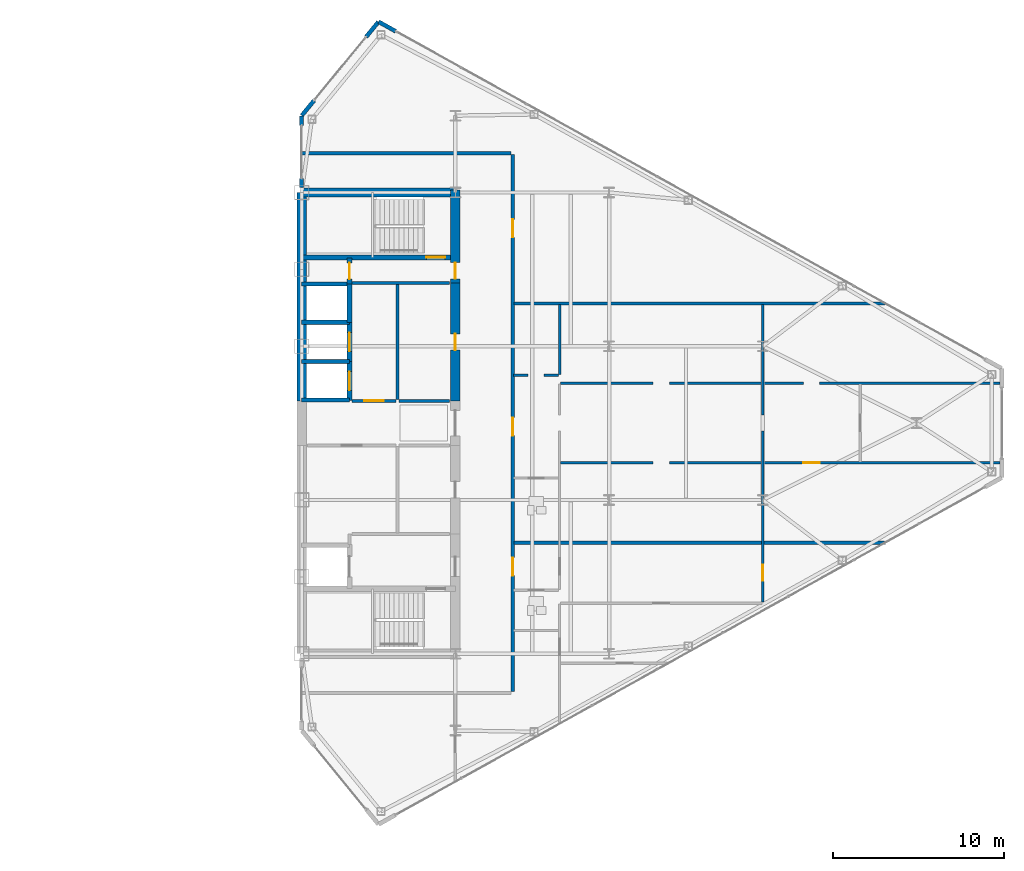
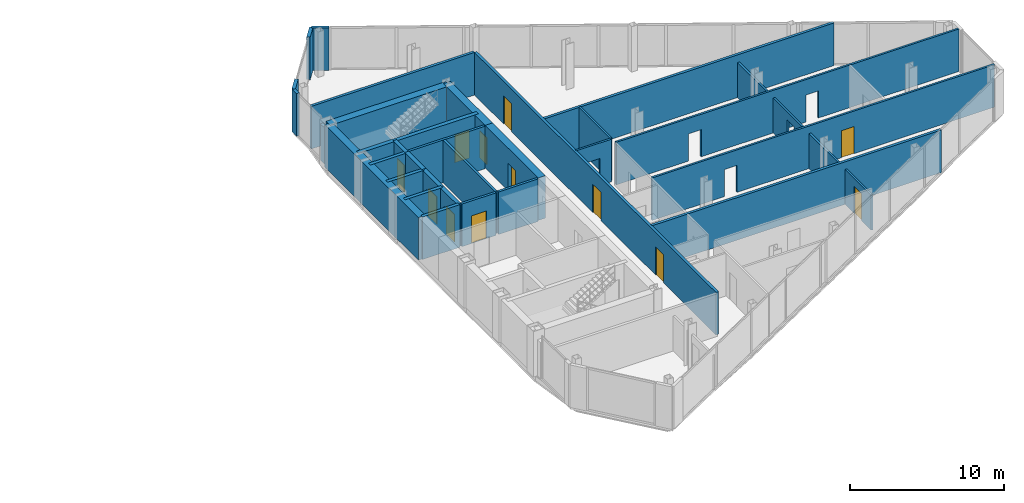
# One storey, part 22 of 26: 31 walls, 12 doors, 17 openings.
"""IFC4 building model written with IfcOpenShell, lengths in metres."""

from ifc_helpers import new_model, si_unit, direction, frame, frame_2d, origin, place, context, subcontext, project, spatial, rectangle, extrude, source, transform, mapped, material, layer, layer_set, type_object, type_shapes, element, fill, save


model = new_model("IFC4")

# Units and contexts
model_context = context("Model", 3, precision=1e-05, world=origin(), true_north=direction((0.0, 1.0)))
body_context = subcontext(model_context, "Body", "Model", "MODEL_VIEW")
ifc_project = project(units=[si_unit("LENGTHUNIT", "METRE"), si_unit("AREAUNIT", "SQUARE_METRE"), si_unit("VOLUMEUNIT", "CUBIC_METRE"), si_unit("PLANEANGLEUNIT", "RADIAN"), si_unit("MASSUNIT", "GRAM", prefix="KILO")], contexts=[model_context])

# Site, building, storey
site_placement = place(None, origin())
site = spatial("IfcSite", under=ifc_project, at=site_placement, CompositionType="ELEMENT")
building_placement = place(site_placement, origin())
building = spatial("IfcBuilding", under=site, at=building_placement, Name="Seokmaru Belvedere", CompositionType="ELEMENT")
storey_placement = place(building_placement, frame((0.0, 0.0, 170.699951171875)))
storey = spatial("IfcBuildingStorey", under=building, at=storey_placement, Name="L45", CompositionType="ELEMENT", Elevation=170.699951171875)

# Wall, openings, door
ifc_material_1 = material(Name="Fire-Rated Gypsum Shaftwall")
ifc_layer_1 = layer(ifc_material_1, 0.14990234375)
ifc_layer_set_1 = layer_set([ifc_layer_1], Name="Fire-Rated Gypsum Shaftwall")
wall_type_1 = type_object("IfcWallType", Name="Apartment Fire-Acoustic Room Partition 150", PredefinedType="PARTITIONING", material=ifc_layer_set_1)
wall_1_placement = place(storey_placement, frame((42.64990234375, -2.330078125, 0.0), z_axis=(0.0, 0.0, 1.0), x_axis=(1.0, 0.0, 0.0)))
wall_1 = element("IfcWall", 1, at=wall_1_placement, inside=storey, type_object=wall_type_1, Name="L45 Interior Partition 012", PredefinedType="PARTITIONING", context=body_context, shape_type="SweptSolid", body=[
    extrude(rectangle(XDim=25.72509765625, YDim=0.14990234375, at=frame_2d((12.862548828125, 0.0))), origin(), (0.0, 0.0, 1.0), 3.380126953125),
])
opening_1_placement = place(wall_1_placement, frame((5.425048828125, 0.0, 0.0)))
element("IfcOpeningElement", 2, at=opening_1_placement, cuts=wall_1, Name="L45 Cased Opening 027", PredefinedType="OPENING", context=body_context, shape_type="SweptSolid", body=[
    extrude(rectangle(XDim=0.949951171875, YDim=2.14990234375, at=frame_2d((0.47509765625, 1.074951171875))), frame((0.0, 0.0849609375, 0.0), z_axis=(0.0, -1.0, 0.0), x_axis=(1.0, 0.0, 0.0)), (0.0, 0.0, 1.0), 0.169921875),
])
opening_2_placement = place(wall_1_placement, frame((14.22509765625, 0.0, 0.0)))
opening_2 = element("IfcOpeningElement", 3, at=opening_2_placement, cuts=wall_1, Name="Opening D05", PredefinedType="OPENING", context=body_context, shape_type="SweptSolid", body=[
    extrude(rectangle(XDim=0.949951171875, YDim=2.14990234375, at=frame_2d((0.47509765625, 1.074951171875))), frame((0.0, 0.0849609375, 0.0), z_axis=(0.0, -1.0, 0.0), x_axis=(1.0, 0.0, 0.0)), (0.0, 0.0, 1.0), 0.169921875),
])
ifc_material_2 = material(Name="Engineered White Oak Timber", Category="wood")
door_type_1 = type_object("IfcDoorType", Name="Apartment Interior Fire-Rated Oak Door 950x2150", OperationType="NOTDEFINED", PredefinedType="DOOR", material=ifc_material_2)
shared_shape_1 = source(origin(), body_context, "Body", "SweptSolid", [
    extrude(rectangle(XDim=0.949951171875, YDim=2.14990234375, at=frame_2d((0.47509765625, 1.074951171875))), frame((0.0, 0.02490234375, 0.0), z_axis=(0.0, -1.0, 0.0), x_axis=(1.0, 0.0, 0.0)), (0.0, 0.0, 1.0), 0.050048828125),
])
type_shapes(door_type_1, [shared_shape_1])
door_1_placement = place(opening_2_placement, origin())
door_1 = element("IfcDoor", 4, at=door_1_placement, inside=storey, type_object=door_type_1, Name="L45 Interior Door 029", OperationType="SINGLE_SWING_RIGHT", OverallHeight=2.14990234375, OverallWidth=0.949951171875, PredefinedType="DOOR", context=body_context, shape_type="MappedRepresentation", body=[
    mapped(shared_shape_1, transform((0.0, 0.0, 0.0), scale=1.0)),
])
fill(opening_2, door_1)

# Wall, openings
wall_2_placement = place(storey_placement, frame((42.64990234375, 2.330078125, 0.0), z_axis=(0.0, 0.0, 1.0), x_axis=(1.0, 0.0, 0.0)))
wall_2 = element("IfcWall", 5, at=wall_2_placement, inside=storey, type_object=wall_type_1, Name="L45 Interior Partition 015", PredefinedType="PARTITIONING", context=body_context, shape_type="SweptSolid", body=[
    extrude(rectangle(XDim=25.72509765625, YDim=0.14990234375, at=frame_2d((12.862548828125, 0.0))), origin(), (0.0, 0.0, 1.0), 3.380126953125),
])
opening_3_placement = place(wall_2_placement, frame((5.425048828125, 0.0, 0.0)))
element("IfcOpeningElement", 6, at=opening_3_placement, cuts=wall_2, Name="L45 Cased Opening 028", PredefinedType="OPENING", context=body_context, shape_type="SweptSolid", body=[
    extrude(rectangle(XDim=0.949951171875, YDim=2.14990234375, at=frame_2d((0.47509765625, 1.074951171875))), frame((0.0, 0.0849609375, 0.0), z_axis=(0.0, -1.0, 0.0), x_axis=(1.0, 0.0, 0.0)), (0.0, 0.0, 1.0), 0.169921875),
])
opening_4_placement = place(wall_2_placement, frame((14.22509765625, 0.0, 0.0)))
element("IfcOpeningElement", 7, at=opening_4_placement, cuts=wall_2, Name="L45 Cased Opening 031", PredefinedType="OPENING", context=body_context, shape_type="SweptSolid", body=[
    extrude(rectangle(XDim=0.949951171875, YDim=2.14990234375, at=frame_2d((0.47509765625, 1.074951171875))), frame((0.0, 0.0849609375, 0.0), z_axis=(0.0, -1.0, 0.0), x_axis=(1.0, 0.0, 0.0)), (0.0, 0.0, 1.0), 0.169921875),
])

# Wall, opening
wall_3_placement = place(storey_placement, frame((39.89990234375, 2.800048828125, 0.0), z_axis=(0.0, 0.0, 1.0), x_axis=(1.0, 0.0, 0.0)))
wall_3 = element("IfcWall", 8, at=wall_3_placement, inside=storey, type_object=wall_type_1, Name="L45 Interior Partition 016", PredefinedType="PARTITIONING", context=body_context, shape_type="SweptSolid", body=[
    extrude(rectangle(XDim=2.650146484375, YDim=0.14990234375, at=frame_2d((1.3251953125, 0.0))), origin(), (0.0, 0.0, 1.0), 3.380126953125),
])
opening_5_placement = place(wall_3_placement, frame((0.85009765625, 0.0, 0.0)))
element("IfcOpeningElement", 9, at=opening_5_placement, cuts=wall_3, Name="L45 Cased Opening 024", PredefinedType="OPENING", context=body_context, shape_type="SweptSolid", body=[
    extrude(rectangle(XDim=0.949951171875, YDim=2.14990234375, at=frame_2d((0.47509765625, 1.074951171875))), frame((0.0, 0.0849609375, 0.0), z_axis=(0.0, -1.0, 0.0), x_axis=(1.0, 0.0, 0.0)), (0.0, 0.0, 1.0), 0.169921875),
])

# Wall
wall_4_placement = place(storey_placement, frame((42.60009765625, 2.85205078125, 0.0), z_axis=(0.0, 0.0, 1.0), x_axis=(0.0, 1.0, 0.0)))
element("IfcWall", 10, at=wall_4_placement, inside=storey, type_object=wall_type_1, Name="L45 Interior Partition 030", PredefinedType="PARTITIONING", context=body_context, shape_type="SweptSolid", body=[
    extrude(rectangle(XDim=4.097900390625, YDim=0.14990234375, at=frame_2d((2.048828125, 0.0))), origin(), (0.0, 0.0, 1.0), 3.380126953125),
])

# Wall, openings, door
wall_5_placement = place(storey_placement, frame((54.5, -10.485107421875, 0.0), z_axis=(0.0, 0.0, 1.0), x_axis=(0.0, 1.0, 0.0)))
wall_5 = element("IfcWall", 11, at=wall_5_placement, inside=storey, type_object=wall_type_1, Name="L45 Interior Partition 031", PredefinedType="PARTITIONING", context=body_context, shape_type="SweptSolid", body=[
    extrude(rectangle(XDim=17.43505859375, YDim=0.14990234375, at=frame_2d((8.717529296875, 0.0))), origin(), (0.0, 0.0, 1.0), 2.780029296875),
])
opening_6_placement = place(wall_5_placement, frame((1.242431640625, 0.0, 0.0)))
opening_6 = element("IfcOpeningElement", 12, at=opening_6_placement, cuts=wall_5, Name="Opening D05", PredefinedType="OPENING", context=body_context, shape_type="SweptSolid", body=[
    extrude(rectangle(XDim=0.949951171875, YDim=2.14990234375, at=frame_2d((0.47509765625, 1.074951171875))), frame((0.0, 0.0849609375, 0.0), z_axis=(0.0, -1.0, 0.0), x_axis=(1.0, 0.0, 0.0)), (0.0, 0.0, 1.0), 0.169921875),
])
opening_7_placement = place(wall_5_placement, frame((10.010009765625, 0.0, 0.0)))
element("IfcOpeningElement", 13, at=opening_7_placement, cuts=wall_5, Name="L45 Cased Opening 026", PredefinedType="OPENING", context=body_context, shape_type="SweptSolid", body=[
    extrude(rectangle(XDim=0.949951171875, YDim=2.14990234375, at=frame_2d((0.47509765625, 1.074951171875))), frame((0.0, 0.0849609375, 0.0), z_axis=(0.0, -1.0, 0.0), x_axis=(1.0, 0.0, 0.0)), (0.0, 0.0, 1.0), 0.169921875),
])
door_2_placement = place(opening_6_placement, origin())
door_2 = element("IfcDoor", 14, at=door_2_placement, inside=storey, type_object=door_type_1, Name="L45 Interior Door 017", OperationType="SINGLE_SWING_LEFT", OverallHeight=2.14990234375, OverallWidth=0.949951171875, PredefinedType="DOOR", context=body_context, shape_type="MappedRepresentation", body=[
    mapped(shared_shape_1, transform((0.0, 0.0, 0.0), scale=1.0)),
])
fill(opening_6, door_2)

# Walls
ifc_layer_2 = layer(ifc_material_1, 0.179931640625)
ifc_layer_set_2 = layer_set([ifc_layer_2], Name="Fire-Rated Gypsum Shaftwall")
wall_type_2 = type_object("IfcWallType", Name="Core Service Fire Partition 180", PredefinedType="PARTITIONING", material=ifc_layer_set_2)
wall_6_placement = place(storey_placement, frame((30.449951171875, 8.199951171875, 0.0), z_axis=(0.0, 0.0, 1.0), x_axis=(1.0, 0.0, 0.0)))
element("IfcWall", 15, at=wall_6_placement, inside=storey, type_object=wall_type_2, Name="L45 East Smokeproof Vestibule Partition", PredefinedType="PARTITIONING", context=body_context, shape_type="SweptSolid", body=[
    extrude(rectangle(XDim=5.699951171875, YDim=0.179931640625, at=frame_2d((2.85009765625, 0.0))), origin(), (0.0, 0.0, 1.0), 3.380126953125),
])
wall_7_placement = place(storey_placement, frame((33.10009765625, 1.3798828125, 0.0), z_axis=(0.0, 0.0, 1.0), x_axis=(0.0, 1.0, 0.0)))
element("IfcWall", 16, at=wall_7_placement, inside=storey, type_object=wall_type_2, Name="L45 East North Core Service Back Wall", PredefinedType="PARTITIONING", context=body_context, shape_type="SweptSolid", body=[
    extrude(rectangle(XDim=6.740234375, YDim=0.179931640625, at=frame_2d((3.3701171875, 0.0))), origin(), (0.0, 0.0, 1.0), 3.380126953125),
])

# Wall, opening, door
wall_8_placement = place(storey_placement, frame((30.449951171875, 1.300048828125, 0.0), z_axis=(0.0, 0.0, 1.0), x_axis=(1.0, 0.0, 0.0)))
wall_8 = element("IfcWall", 17, at=wall_8_placement, inside=storey, type_object=wall_type_2, Name="L45 East North Lift Lobby Foyer Wall", PredefinedType="PARTITIONING", context=body_context, shape_type="SweptSolid", body=[
    extrude(rectangle(XDim=2.570068359375, YDim=0.179931640625, at=frame_2d((1.28515625, 0.0))), origin(), (0.0, 0.0, 1.0), 3.380126953125),
])
opening_8_placement = place(wall_8_placement, frame((0.7099609375, 0.0, 0.0)))
opening_8 = element("IfcOpeningElement", 18, at=opening_8_placement, cuts=wall_8, Name="Opening D02", PredefinedType="OPENING", context=body_context, shape_type="SweptSolid", body=[
    extrude(rectangle(XDim=1.14990234375, YDim=2.199951171875, at=frame_2d((0.574951171875, 1.10009765625))), frame((0.0, 0.10009765625, 0.0), z_axis=(0.0, -1.0, 0.0), x_axis=(1.0, 0.0, 0.0)), (0.0, 0.0, 1.0), 0.199951171875),
])
ifc_material_3 = material(Name="Fire-Rated Steel Leaf", Category="steel")
door_type_2 = type_object("IfcDoorType", Name="Lobby and Vestibule Fire Door 1150x2200", OperationType="NOTDEFINED", PredefinedType="DOOR", material=ifc_material_3)
shared_shape_2 = source(origin(), body_context, "Body", "SweptSolid", [
    extrude(rectangle(XDim=1.14990234375, YDim=2.199951171875, at=frame_2d((0.574951171875, 1.10009765625))), frame((0.0, 0.02490234375, 0.0), z_axis=(0.0, -1.0, 0.0), x_axis=(1.0, 0.0, 0.0)), (0.0, 0.0, 1.0), 0.050048828125),
])
type_shapes(door_type_2, [shared_shape_2])
door_3_placement = place(opening_8_placement, origin())
door_3 = element("IfcDoor", 19, at=door_3_placement, inside=storey, type_object=door_type_2, Name="L45 East North Lift Lobby Door", OperationType="SINGLE_SWING_LEFT", OverallHeight=2.199951171875, OverallWidth=1.14990234375, PredefinedType="DOOR", context=body_context, shape_type="MappedRepresentation", body=[
    mapped(shared_shape_2, transform((0.0, 0.0, 0.0), scale=1.0)),
])
fill(opening_8, door_3)

# Walls
wall_9_placement = place(storey_placement, frame((33.199951171875, 1.300048828125, 0.0), z_axis=(0.0, 0.0, 1.0), x_axis=(1.0, 0.0, 0.0)))
element("IfcWall", 20, at=wall_9_placement, inside=storey, type_object=wall_type_2, Name="L45 East Foyer Side Wall N", PredefinedType="PARTITIONING", context=body_context, shape_type="SweptSolid", body=[
    extrude(rectangle(XDim=2.949951171875, YDim=0.179931640625, at=frame_2d((1.47509765625, 0.0))), origin(), (0.0, 0.0, 1.0), 3.380126953125),
])
ifc_material_4 = material(Name="Concrete C50 (50 MPa)", Category="concrete")
ifc_layer_3 = layer(ifc_material_4, 0.25)
ifc_layer_set_3 = layer_set([ifc_layer_3], Name="Concrete C50 (50 MPa)")
wall_type_3 = type_object("IfcWallType", Name="Hoistway Transverse Concrete Divider Wall 250", PredefinedType="SHEAR", material=ifc_layer_set_3)
for number, where, z_axis, x_axis, name in (
    (21, (27.5, 1.35009765625, 0.0), (0.0, 0.0, 1.0), (1.0, 0.0, 0.0), "L45 East Hoistway Divider Core Wall 2"),
    (22, (27.5, 3.60009765625, 0.0), (0.0, 0.0, 1.0), (1.0, 0.0, 0.0), "L45 East Hoistway Divider Core Wall 3"),
    (23, (27.5, 5.89990234375, 0.0), (0.0, 0.0, 1.0), (1.0, 0.0, 0.0), "L45 East Hoistway Divider Core Wall 4"),
    (24, (27.5, 8.14990234375, 0.0), (0.0, 0.0, 1.0), (1.0, 0.0, 0.0), "L45 East Hoistway Divider Core Wall 5"),
):
    element("IfcWall", number, at=place(storey_placement, frame(where, z_axis=z_axis, x_axis=x_axis)), inside=storey, type_object=wall_type_3, Name=name, PredefinedType="SHEAR", context=body_context, shape_type="SweptSolid", body=[
        extrude(rectangle(XDim=2.800048828125, YDim=0.25, at=frame_2d((1.39990234375, 0.0))), origin(), (0.0, 0.0, 1.0), 3.380126953125),
    ])
ifc_layer_4 = layer(ifc_material_1, 0.199951171875)
ifc_layer_set_4 = layer_set([ifc_layer_4], Name="Fire-Rated Gypsum Shaftwall")
wall_type_4 = type_object("IfcWallType", Name="Inter-Tenancy Fire Compartment Partition 200", PredefinedType="PARTITIONING", material=ifc_layer_set_4)
for number, where, z_axis, x_axis, name in (
    (25, (39.929931640625, -7.0, 0.0), (0.0, 0.0, 1.0), (1.0, 0.0, 0.0), "L45 Interior Partition 008"),
    (26, (39.929931640625, 7.0, 0.0), (0.0, 0.0, 1.0), (1.0, 0.0, 0.0), "L45 Interior Partition 018"),
):
    element("IfcWall", number, at=place(storey_placement, frame(where, z_axis=z_axis, x_axis=x_axis)), inside=storey, type_object=wall_type_4, Name=name, PredefinedType="PARTITIONING", context=body_context, shape_type="SweptSolid", body=[
        extrude(rectangle(XDim=21.748046875, YDim=0.199951171875, at=frame_2d((10.8740234375, 0.0))), origin(), (0.0, 0.0, 1.0), 3.380126953125),
    ])
wall_10_placement = place(storey_placement, frame((27.5, 15.800048828125, 0.0), z_axis=(0.0, 0.0, 1.0), x_axis=(1.0, 0.0, 0.0)))
element("IfcWall", 27, at=wall_10_placement, inside=storey, type_object=wall_type_4, Name="L45 Interior Partition 020", PredefinedType="PARTITIONING", context=body_context, shape_type="SweptSolid", body=[
    extrude(rectangle(XDim=12.264892578125, YDim=0.199951171875, at=frame_2d((6.13232421875, 0.0))), origin(), (0.0, 0.0, 1.0), 3.380126953125),
])

# Wall, openings, doors
wall_11_placement = place(storey_placement, frame((39.85009765625, -15.715087890625, 0.0), z_axis=(0.0, 0.0, 1.0), x_axis=(0.0, 1.0, 0.0)))
wall_11 = element("IfcWall", 28, at=wall_11_placement, inside=storey, type_object=wall_type_4, Name="L45 Interior Partition 027", PredefinedType="PARTITIONING", context=body_context, shape_type="SweptSolid", body=[
    extrude(rectangle(XDim=31.43017578125, YDim=0.199951171875, at=frame_2d((15.715087890625, 0.0))), origin(), (0.0, 0.0, 1.0), 3.380126953125),
])
opening_9_placement = place(wall_11_placement, frame((6.79248046875, 0.0, 0.0)))
opening_9 = element("IfcOpeningElement", 29, at=opening_9_placement, cuts=wall_11, Name="Opening D03", PredefinedType="OPENING", context=body_context, shape_type="SweptSolid", body=[
    extrude(rectangle(XDim=1.050048828125, YDim=2.25, at=frame_2d((0.52490234375, 1.125))), frame((0.0, 0.10986328125, 0.0), z_axis=(0.0, -1.0, 0.0), x_axis=(1.0, 0.0, 0.0)), (0.0, 0.0, 1.0), 0.219970703125),
])
opening_10_placement = place(wall_11_placement, frame((14.97998046875, 0.0, 0.0)))
opening_10 = element("IfcOpeningElement", 30, at=opening_10_placement, cuts=wall_11, Name="Opening D03", PredefinedType="OPENING", context=body_context, shape_type="SweptSolid", body=[
    extrude(rectangle(XDim=1.050048828125, YDim=2.25, at=frame_2d((0.52490234375, 1.125))), frame((0.0, 0.10986328125, 0.0), z_axis=(0.0, -1.0, 0.0), x_axis=(1.0, 0.0, 0.0)), (0.0, 0.0, 1.0), 0.219970703125),
])
opening_11_placement = place(wall_11_placement, frame((26.590087890625, 0.0, 0.0)))
opening_11 = element("IfcOpeningElement", 31, at=opening_11_placement, cuts=wall_11, Name="Opening D03", PredefinedType="OPENING", context=body_context, shape_type="SweptSolid", body=[
    extrude(rectangle(XDim=1.050048828125, YDim=2.25, at=frame_2d((0.52490234375, 1.125))), frame((0.0, 0.10986328125, 0.0), z_axis=(0.0, -1.0, 0.0), x_axis=(1.0, 0.0, 0.0)), (0.0, 0.0, 1.0), 0.219970703125),
])
door_type_3 = type_object("IfcDoorType", Name="Apartment Entrance Fire Door 1050x2250", OperationType="NOTDEFINED", PredefinedType="DOOR", material=ifc_material_3)
shared_shape_3 = source(origin(), body_context, "Body", "SweptSolid", [
    extrude(rectangle(XDim=1.050048828125, YDim=2.25, at=frame_2d((0.52490234375, 1.125))), frame((0.0, 0.02490234375, 0.0), z_axis=(0.0, -1.0, 0.0), x_axis=(1.0, 0.0, 0.0)), (0.0, 0.0, 1.0), 0.050048828125),
])
type_shapes(door_type_3, [shared_shape_3])
door_4_placement = place(opening_9_placement, origin())
door_4 = element("IfcDoor", 32, at=door_4_placement, inside=storey, type_object=door_type_3, Name="L45 Interior Door 014", OperationType="SINGLE_SWING_LEFT", OverallHeight=2.25, OverallWidth=1.050048828125, PredefinedType="DOOR", context=body_context, shape_type="MappedRepresentation", body=[
    mapped(shared_shape_3, transform((0.0, 0.0, 0.0), scale=1.0)),
])
fill(opening_9, door_4)
door_5_placement = place(opening_10_placement, origin())
door_5 = element("IfcDoor", 33, at=door_5_placement, inside=storey, type_object=door_type_3, Name="L45 Interior Door 022", OperationType="SINGLE_SWING_RIGHT", OverallHeight=2.25, OverallWidth=1.050048828125, PredefinedType="DOOR", context=body_context, shape_type="MappedRepresentation", body=[
    mapped(shared_shape_3, transform((0.0, 0.0, 0.0), scale=1.0)),
])
fill(opening_10, door_5)
door_6_placement = place(opening_11_placement, origin())
door_6 = element("IfcDoor", 34, at=door_6_placement, inside=storey, type_object=door_type_3, Name="L45 Interior Door 032", OperationType="SINGLE_SWING_LEFT", OverallHeight=2.25, OverallWidth=1.050048828125, PredefinedType="DOOR", context=body_context, shape_type="MappedRepresentation", body=[
    mapped(shared_shape_3, transform((0.0, 0.0, 0.0), scale=1.0)),
])
fill(opening_11, door_6)

# Wall, opening, door
ifc_layer_5 = layer(ifc_material_4, 0.300048828125)
ifc_layer_set_5 = layer_set([ifc_layer_5], Name="Concrete C50 (50 MPa)")
wall_type_5 = type_object("IfcWallType", Name="Internal Core Stair and Hoistway Wall 300", PredefinedType="SHEAR", material=ifc_layer_set_5)
wall_12_placement = place(storey_placement, frame((27.5, 9.699951171875, 0.0), z_axis=(0.0, 0.0, 1.0), x_axis=(1.0, 0.0, 0.0)))
wall_12 = element("IfcWall", 35, at=wall_12_placement, inside=storey, type_object=wall_type_5, Name="L45 East Stair ST-2 Enclosure Wall", PredefinedType="SHEAR", context=body_context, shape_type="SweptSolid", body=[
    extrude(rectangle(XDim=9.0, YDim=0.300048828125, at=frame_2d((4.5, 0.0))), origin(), (0.0, 0.0, 1.0), 3.380126953125),
])
opening_12_placement = place(wall_12_placement, frame((7.300048828125, 0.0, 0.0)))
opening_12 = element("IfcOpeningElement", 36, at=opening_12_placement, cuts=wall_12, Name="Opening D01", PredefinedType="OPENING", context=body_context, shape_type="SweptSolid", body=[
    extrude(rectangle(XDim=1.10009765625, YDim=2.199951171875, at=frame_2d((0.550048828125, 1.10009765625))), frame((0.0, 0.16015625, 0.0), z_axis=(0.0, -1.0, 0.0), x_axis=(1.0, 0.0, 0.0)), (0.0, 0.0, 1.0), 0.320068359375),
])
door_type_4 = type_object("IfcDoorType", Name="Special Escape Stair Smokeproof Fire Door 1100x2200", OperationType="NOTDEFINED", PredefinedType="DOOR", material=ifc_material_3)
shared_shape_4 = source(origin(), body_context, "Body", "SweptSolid", [
    extrude(rectangle(XDim=1.10009765625, YDim=2.199951171875, at=frame_2d((0.550048828125, 1.10009765625))), frame((0.0, 0.02490234375, 0.0), z_axis=(0.0, -1.0, 0.0), x_axis=(1.0, 0.0, 0.0)), (0.0, 0.0, 1.0), 0.050048828125),
])
type_shapes(door_type_4, [shared_shape_4])
door_7_placement = place(opening_12_placement, origin())
door_7 = element("IfcDoor", 37, at=door_7_placement, inside=storey, type_object=door_type_4, Name="L45 East Special Escape Stair ST-2 Door", OperationType="SINGLE_SWING_LEFT", OverallHeight=2.199951171875, OverallWidth=1.10009765625, PredefinedType="DOOR", context=body_context, shape_type="MappedRepresentation", body=[
    mapped(shared_shape_4, transform((0.0, 0.0, 0.0), scale=1.0)),
])
fill(opening_12, door_7)

wall_13_placement = place(storey_placement, frame((30.300048828125, 1.320068359375, 0.0), z_axis=(0.0, 0.0, 1.0), x_axis=(0.0, 1.0, 0.0)))
wall_13 = element("IfcWall", 38, at=wall_13_placement, inside=storey, type_object=wall_type_5, Name="L45 East North Hoistway Wall PH1", PredefinedType="SHEAR", context=body_context, shape_type="SweptSolid", body=[
    extrude(rectangle(XDim=2.280029296875, YDim=0.300048828125, at=frame_2d((1.14013671875, 0.0))), origin(), (0.0, 0.0, 1.0), 3.380126953125),
])
opening_13_placement = place(wall_13_placement, frame((0.590087890625, 0.0, 0.0)))
opening_13 = element("IfcOpeningElement", 39, at=opening_13_placement, cuts=wall_13, Name="Opening LD1", PredefinedType="OPENING", context=body_context, shape_type="SweptSolid", body=[
    extrude(rectangle(XDim=1.10009765625, YDim=2.199951171875, at=frame_2d((0.550048828125, 1.10009765625))), frame((0.0, 0.16015625, 0.0), z_axis=(0.0, -1.0, 0.0), x_axis=(1.0, 0.0, 0.0)), (0.0, 0.0, 1.0), 0.320068359375),
])
ifc_material_5 = material(Name="Stainless Steel 316", Category="steel")
door_type_5 = type_object("IfcDoorType", Name="Passenger Lift Sliding Landing Door 1100x2200", OperationType="DOUBLE_DOOR_SLIDING", PredefinedType="DOOR", material=ifc_material_5)
shared_shape_5 = source(origin(), body_context, "Body", "SweptSolid", [
    extrude(rectangle(XDim=1.10009765625, YDim=2.199951171875, at=frame_2d((0.550048828125, 1.10009765625))), frame((0.0, 0.02490234375, 0.0), z_axis=(0.0, -1.0, 0.0), x_axis=(1.0, 0.0, 0.0)), (0.0, 0.0, 1.0), 0.050048828125),
])
type_shapes(door_type_5, [shared_shape_5])
door_8_placement = place(opening_13_placement, origin())
door_8 = element("IfcDoor", 40, at=door_8_placement, inside=storey, type_object=door_type_5, Name="L45 East High-Rise Lift PH-1 Landing Door", OperationType="DOUBLE_DOOR_SLIDING", OverallHeight=2.199951171875, OverallWidth=1.10009765625, PredefinedType="DOOR", context=body_context, shape_type="MappedRepresentation", body=[
    mapped(shared_shape_5, transform((0.0, 0.0, 0.0), scale=1.0)),
])
fill(opening_13, door_8)

wall_14_placement = place(storey_placement, frame((30.300048828125, 3.60009765625, 0.0), z_axis=(0.0, 0.0, 1.0), x_axis=(0.0, 1.0, 0.0)))
wall_14 = element("IfcWall", 41, at=wall_14_placement, inside=storey, type_object=wall_type_5, Name="L45 East North Hoistway Wall PH2", PredefinedType="SHEAR", context=body_context, shape_type="SweptSolid", body=[
    extrude(rectangle(XDim=2.2998046875, YDim=0.300048828125, at=frame_2d((1.14990234375, 0.0))), origin(), (0.0, 0.0, 1.0), 3.380126953125),
])
opening_14_placement = place(wall_14_placement, frame((0.60009765625, 0.0, 0.0)))
opening_14 = element("IfcOpeningElement", 42, at=opening_14_placement, cuts=wall_14, Name="Opening LD1", PredefinedType="OPENING", context=body_context, shape_type="SweptSolid", body=[
    extrude(rectangle(XDim=1.10009765625, YDim=2.199951171875, at=frame_2d((0.550048828125, 1.10009765625))), frame((0.0, 0.16015625, 0.0), z_axis=(0.0, -1.0, 0.0), x_axis=(1.0, 0.0, 0.0)), (0.0, 0.0, 1.0), 0.320068359375),
])
door_9_placement = place(opening_14_placement, origin())
door_9 = element("IfcDoor", 43, at=door_9_placement, inside=storey, type_object=door_type_5, Name="L45 East High-Rise Lift PH-2 Landing Door", OperationType="DOUBLE_DOOR_SLIDING", OverallHeight=2.199951171875, OverallWidth=1.10009765625, PredefinedType="DOOR", context=body_context, shape_type="MappedRepresentation", body=[
    mapped(shared_shape_5, transform((0.0, 0.0, 0.0), scale=1.0)),
])
fill(opening_14, door_9)

# Wall
wall_15_placement = place(storey_placement, frame((30.300048828125, 5.89990234375, 0.0), z_axis=(0.0, 0.0, 1.0), x_axis=(0.0, 1.0, 0.0)))
element("IfcWall", 44, at=wall_15_placement, inside=storey, type_object=wall_type_5, Name="L45 East North Hoistway Wall OBS", PredefinedType="SHEAR", context=body_context, shape_type="SweptSolid", body=[
    extrude(rectangle(XDim=2.25, YDim=0.300048828125, at=frame_2d((1.125, 0.0))), origin(), (0.0, 0.0, 1.0), 3.380126953125),
])

# Wall, opening, door
wall_16_placement = place(storey_placement, frame((30.300048828125, 8.14990234375, 0.0), z_axis=(0.0, 0.0, 1.0), x_axis=(0.0, 1.0, 0.0)))
wall_16 = element("IfcWall", 45, at=wall_16_placement, inside=storey, type_object=wall_type_5, Name="L45 East Electrical Riser Front Wall", PredefinedType="SHEAR", context=body_context, shape_type="SweptSolid", body=[
    extrude(rectangle(XDim=1.530029296875, YDim=0.300048828125, at=frame_2d((0.76513671875, 0.0))), origin(), (0.0, 0.0, 1.0), 3.380126953125),
])
opening_15_placement = place(wall_16_placement, frame((0.284912109375, 0.0, 0.0)))
opening_15 = element("IfcOpeningElement", 46, at=opening_15_placement, cuts=wall_16, Name="Opening D04", PredefinedType="OPENING", context=body_context, shape_type="SweptSolid", body=[
    extrude(rectangle(XDim=0.949951171875, YDim=2.14990234375, at=frame_2d((0.47509765625, 1.074951171875))), frame((0.0, 0.16015625, 0.0), z_axis=(0.0, -1.0, 0.0), x_axis=(1.0, 0.0, 0.0)), (0.0, 0.0, 1.0), 0.320068359375),
])
door_type_6 = type_object("IfcDoorType", Name="Core Service Room Fire Door 950x2150", OperationType="NOTDEFINED", PredefinedType="DOOR", material=ifc_material_3)
shared_shape_6 = source(origin(), body_context, "Body", "SweptSolid", [
    extrude(rectangle(XDim=0.949951171875, YDim=2.14990234375, at=frame_2d((0.47509765625, 1.074951171875))), frame((0.0, 0.02490234375, 0.0), z_axis=(0.0, -1.0, 0.0), x_axis=(1.0, 0.0, 0.0)), (0.0, 0.0, 1.0), 0.050048828125),
])
type_shapes(door_type_6, [shared_shape_6])
door_10_placement = place(opening_15_placement, origin())
door_10 = element("IfcDoor", 47, at=door_10_placement, inside=storey, type_object=door_type_6, Name="L45 East Electrical Riser Access Door", OperationType="SINGLE_SWING_RIGHT", OverallHeight=2.14990234375, OverallWidth=0.949951171875, PredefinedType="DOOR", context=body_context, shape_type="MappedRepresentation", body=[
    mapped(shared_shape_6, transform((0.0, 0.0, 0.0), scale=1.0)),
])
fill(opening_15, door_10)

# Walls
ifc_layer_6 = layer(ifc_material_4, 0.550048828125)
ifc_layer_set_6 = layer_set([ifc_layer_6], Name="Concrete C50 (50 MPa)")
wall_type_6 = type_object("IfcWallType", Name="Mid-High Reinforced Concrete Core Wall 550", PredefinedType="SHEAR", material=ifc_layer_set_6)
wall_17_placement = place(storey_placement, frame((27.5, 1.300048828125, 0.0), z_axis=(0.0, 0.0, 1.0), x_axis=(0.0, 1.0, 0.0)))
element("IfcWall", 48, at=wall_17_placement, inside=storey, type_object=wall_type_6, Name="L45 East Portal Spine Core Wall North", PredefinedType="SHEAR", context=body_context, shape_type="SweptSolid", body=[
    extrude(rectangle(XDim=12.199951171875, YDim=0.550048828125, at=frame_2d((6.10009765625, 0.0))), origin(), (0.0, 0.0, 1.0), 3.380126953125),
])
wall_18_placement = place(storey_placement, frame((27.5, 13.5, 0.0), z_axis=(0.0, 0.0, 1.0), x_axis=(1.0, 0.0, 0.0)))
element("IfcWall", 49, at=wall_18_placement, inside=storey, type_object=wall_type_6, Name="L45 East North Core Wall", PredefinedType="SHEAR", context=body_context, shape_type="SweptSolid", body=[
    extrude(rectangle(XDim=9.0, YDim=0.550048828125, at=frame_2d((4.5, 0.0))), origin(), (0.0, 0.0, 1.0), 3.380126953125),
])

# Wall, opening, door
wall_19_placement = place(storey_placement, frame((36.5, 8.199951171875, 0.0), z_axis=(0.0, 0.0, 1.0), x_axis=(0.0, 1.0, 0.0)))
wall_19 = element("IfcWall", 50, at=wall_19_placement, inside=storey, type_object=wall_type_6, Name="L45 East West Core Wall VST", PredefinedType="SHEAR", context=body_context, shape_type="SweptSolid", body=[
    extrude(rectangle(XDim=5.449951171875, YDim=0.550048828125, at=frame_2d((2.72509765625, 0.0))), origin(), (0.0, 0.0, 1.0), 3.380126953125),
])
opening_16_placement = place(wall_19_placement, frame((0.2451171875, 0.0, 0.0)))
opening_16 = element("IfcOpeningElement", 51, at=opening_16_placement, cuts=wall_19, Name="Opening D04", PredefinedType="OPENING", context=body_context, shape_type="SweptSolid", body=[
    extrude(rectangle(XDim=0.949951171875, YDim=2.14990234375, at=frame_2d((0.47509765625, 1.074951171875))), frame((0.0, 0.28515625, 0.0), z_axis=(0.0, -1.0, 0.0), x_axis=(1.0, 0.0, 0.0)), (0.0, 0.0, 1.0), 0.570068359375),
])
door_11_placement = place(opening_16_placement, origin())
door_11 = element("IfcDoor", 52, at=door_11_placement, inside=storey, type_object=door_type_6, Name="L45 East Smokeproof Vestibule Door", OperationType="SINGLE_SWING_LEFT", OverallHeight=2.14990234375, OverallWidth=0.949951171875, PredefinedType="DOOR", context=body_context, shape_type="MappedRepresentation", body=[
    mapped(shared_shape_6, transform((0.0, 0.0, 0.0), scale=1.0)),
])
fill(opening_16, door_11)

wall_20_placement = place(storey_placement, frame((36.5, 1.300048828125, 0.0), z_axis=(0.0, 0.0, 1.0), x_axis=(0.0, 1.0, 0.0)))
wall_20 = element("IfcWall", 53, at=wall_20_placement, inside=storey, type_object=wall_type_6, Name="L45 East West Core Wall CS2", PredefinedType="SHEAR", context=body_context, shape_type="SweptSolid", body=[
    extrude(rectangle(XDim=6.89990234375, YDim=0.550048828125, at=frame_2d((3.449951171875, 0.0))), origin(), (0.0, 0.0, 1.0), 3.380126953125),
])
opening_17_placement = place(wall_20_placement, frame((2.97509765625, 0.0, 0.0)))
opening_17 = element("IfcOpeningElement", 54, at=opening_17_placement, cuts=wall_20, Name="Opening D04", PredefinedType="OPENING", context=body_context, shape_type="SweptSolid", body=[
    extrude(rectangle(XDim=0.949951171875, YDim=2.14990234375, at=frame_2d((0.47509765625, 1.074951171875))), frame((0.0, 0.28515625, 0.0), z_axis=(0.0, -1.0, 0.0), x_axis=(1.0, 0.0, 0.0)), (0.0, 0.0, 1.0), 0.570068359375),
])
door_12_placement = place(opening_17_placement, origin())
door_12 = element("IfcDoor", 55, at=door_12_placement, inside=storey, type_object=door_type_6, Name="L45 East Core Service Room Door 2", OperationType="SINGLE_SWING_LEFT", OverallHeight=2.14990234375, OverallWidth=0.949951171875, PredefinedType="DOOR", context=body_context, shape_type="MappedRepresentation", body=[
    mapped(shared_shape_6, transform((0.0, 0.0, 0.0), scale=1.0)),
])
fill(opening_17, door_12)

# Walls
ifc_material_6 = material(Name="Anodised Bronze Aluminium", Category="aluminium")
ifc_layer_7 = layer(ifc_material_6, 0.239990234375)
ifc_layer_set_7 = layer_set([ifc_layer_7], Name="Anodised Bronze Aluminium")
wall_type_7 = type_object("IfcWallType", Name="Tower Corner Spandrel Closure Wall 240", PredefinedType="SOLIDWALL", material=ifc_layer_set_7)
wall_21_placement = place(storey_placement, frame((33.0048828125, 22.94091796875, 0.0), z_axis=(0.0, 0.0, 1.0), x_axis=(-0.87385402111, 0.486188389196, 0.0)))
element("IfcWall", 56, at=wall_21_placement, inside=storey, type_object=wall_type_7, Name="L45 E Corner Closure Pier 3B", PredefinedType="SOLIDWALL", context=body_context, shape_type="SweptSolid", body=[
    extrude(rectangle(XDim=1.139892578125, YDim=0.239990234375, at=frame_2d((0.56982421875, 0.0))), origin(), (0.0, 0.0, 1.0), 3.380126953125),
])
for number, where, z_axis, x_axis, name in (
    (57, (31.99365234375, 23.4921875, 0.0), (0.0, 0.0, 1.0), (-0.633249451965, -0.77394775766, 0.0), "L45 E Corner Closure Pier 4A"),
    (58, (28.228271484375, 18.89013671875, 0.0), (0.0, 0.0, 1.0), (-0.633249451965, -0.77394775766, 0.0), "L45 E Corner Closure Pier 4B"),
):
    element("IfcWall", number, at=place(storey_placement, frame(where, z_axis=z_axis, x_axis=x_axis)), inside=storey, type_object=wall_type_7, Name=name, PredefinedType="SOLIDWALL", context=body_context, shape_type="SweptSolid", body=[
        extrude(rectangle(XDim=1.14013671875, YDim=0.239990234375, at=frame_2d((0.570068359375, 0.0))), origin(), (0.0, 0.0, 1.0), 3.380126953125),
    ])
wall_22_placement = place(storey_placement, frame((27.5, 13.780029296875, 0.0), z_axis=(0.0, 0.0, 1.0), x_axis=(0.0, 1.0, 0.0)))
element("IfcWall", 59, at=wall_22_placement, inside=storey, type_object=wall_type_7, Name="L45 E Spine Closure Pier 2A", PredefinedType="SOLIDWALL", context=body_context, shape_type="SweptSolid", body=[
    extrude(rectangle(XDim=0.550048828125, YDim=0.239990234375, at=frame_2d((0.27490234375, 0.0))), origin(), (0.0, 0.0, 1.0), 2.880126953125),
])
wall_23_placement = place(storey_placement, frame((27.5, 17.429931640625, 0.0), z_axis=(0.0, 0.0, 1.0), x_axis=(0.0, 1.0, 0.0)))
element("IfcWall", 60, at=wall_23_placement, inside=storey, type_object=wall_type_7, Name="L45 E Spine Closure Pier 2B", PredefinedType="SOLIDWALL", context=body_context, shape_type="SweptSolid", body=[
    extrude(rectangle(XDim=0.550048828125, YDim=0.239990234375, at=frame_2d((0.27490234375, 0.0))), origin(), (0.0, 0.0, 1.0), 3.380126953125),
])

save(model, "model.ifc")
